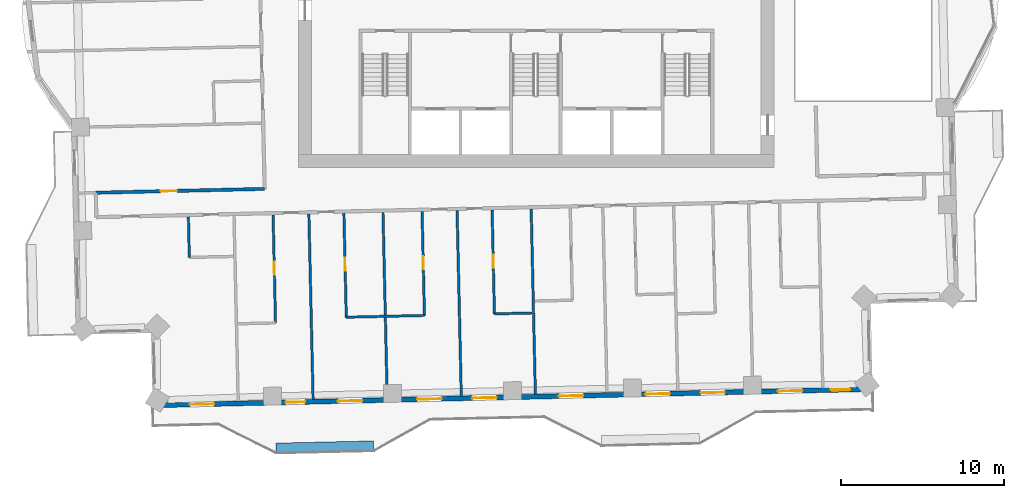
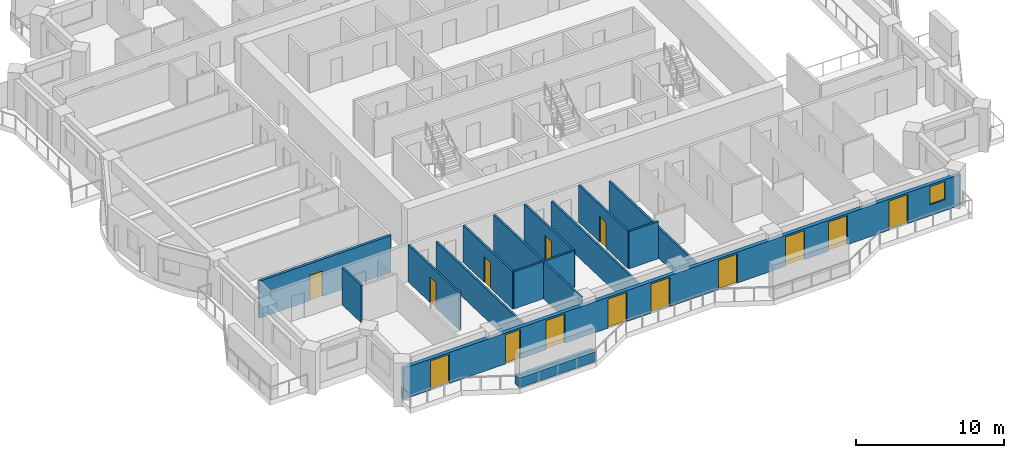
# One storey, part 6 of 16: 14 doors, 14 walls, 1 window, 15 openings.
"""IFC4 building model written with IfcOpenShell, lengths in metres."""

from ifc_helpers import new_model, si_unit, direction, frame, frame_2d, origin, place, context, subcontext, project, spatial, rectangle, extrude, material, layer, layer_set, type_object, element, fill, save


model = new_model("IFC4")

# Units and contexts
model_context = context("Model", 3, precision=1e-05, world=origin(), true_north=direction((0.0, 1.0)))
body_context = subcontext(model_context, "Body", "Model", "MODEL_VIEW")
ifc_project = project(units=[si_unit("LENGTHUNIT", "METRE"), si_unit("AREAUNIT", "SQUARE_METRE"), si_unit("VOLUMEUNIT", "CUBIC_METRE"), si_unit("PLANEANGLEUNIT", "RADIAN"), si_unit("MASSUNIT", "GRAM", prefix="KILO")], contexts=[model_context])

# Site, building, storey
site_placement = place(None, origin())
site = spatial("IfcSite", under=ifc_project, at=site_placement, CompositionType="ELEMENT")
building_placement = place(site_placement, origin())
building = spatial("IfcBuilding", under=site, at=building_placement, Name="Mangrove Gate Tower", CompositionType="ELEMENT")
storey_placement = place(building_placement, frame((0.0, 0.0, 231.10009765625)))
storey = spatial("IfcBuildingStorey", under=building, at=storey_placement, Name="L58", CompositionType="ELEMENT", Elevation=231.10009765625)

# Wall, opening, door
ifc_material_1 = material(Name="Gypsum board on steel stud, EI 60", Category="steel")
ifc_layer_1 = layer(ifc_material_1, 0.199951171875)
ifc_layer_set_1 = layer_set([ifc_layer_1], Name="Corridor wall EI 60")
wall_type_1 = type_object("IfcWallType", Name="Corridor wall EI 60", PredefinedType="PARTITIONING", material=ifc_layer_set_1)
wall_1_placement = place(storey_placement, frame((-27.050048828125, -13.14990234375, 0.0), z_axis=(0.0, 0.0, 1.0), x_axis=(0.999743679035, 0.022640146404, 0.0)))
wall_1 = element("IfcWall", 1, at=wall_1_placement, inside=storey, type_object=wall_type_1, Name="WALL-L58-033", PredefinedType="PARTITIONING", context=body_context, shape_type="SweptSolid", body=[
    extrude(rectangle(XDim=10.373779296875, YDim=0.199951171875, at=frame_2d((5.18701171875, 0.0))), origin(), (0.0, 0.0, 1.0), 3.0498046875),
])
opening_1_placement = place(wall_1_placement, frame((3.987060546875, 0.0, 0.0)))
opening_1 = element("IfcOpeningElement", 2, at=opening_1_placement, cuts=wall_1, Name="Opening AD", PredefinedType="OPENING", context=body_context, shape_type="SweptSolid", body=[
    extrude(rectangle(XDim=1.0, YDim=2.10009765625, at=frame_2d((0.5, 1.050048828125))), frame((0.0, 0.10986328125, 0.0), z_axis=(0.0, -1.0, 0.0), x_axis=(1.0, 0.0, 0.0)), (0.0, 0.0, 1.0), 0.219970703125),
])
ifc_material_2 = material(Name="Timber door leaf", Category="wood")
door_type_1 = type_object("IfcDoorType", Name="Amenity door 1000", OperationType="SINGLE_SWING_LEFT", PredefinedType="DOOR", material=ifc_material_2)
door_1_placement = place(opening_1_placement, origin())
door_1 = element("IfcDoor", 3, at=door_1_placement, inside=storey, type_object=door_type_1, Name="DOOR-L58-GAM-c5b", OperationType="SINGLE_SWING_LEFT", OverallHeight=2.10009765625, OverallWidth=1.0, PredefinedType="DOOR", context=body_context, shape_type="SweptSolid", body=[
    extrude(rectangle(XDim=1.0, YDim=2.10009765625, at=frame_2d((0.5, 1.050048828125))), frame((0.0, 0.02490234375, 0.0), z_axis=(0.0, -1.0, 0.0), x_axis=(1.0, 0.0, 0.0)), (0.0, 0.0, 1.0), 0.050048828125),
])
fill(opening_1, door_1)

# Wall, openings, doors, window
ifc_material_3 = material(Name="Limestone", Category="masonry")
ifc_layer_2 = layer(ifc_material_3, 0.0400390625, Name="Limestone cladding")
ifc_material_4 = material(Name="Ventilated air gap")
ifc_layer_3 = layer(ifc_material_4, 0.0400390625, Name="Ventilated cavity")
ifc_material_5 = material(Name="Mineral wool insulation")
ifc_layer_4 = layer(ifc_material_5, 0.06005859375, Name="Insulation")
ifc_material_6 = material(Name="Breather membrane")
ifc_layer_5 = layer(ifc_material_6, 0.001953125, Name="Breather membrane")
ifc_material_7 = material(Name="Concrete C20/25 blockwork", Category="masonry")
ifc_layer_6 = layer(ifc_material_7, 0.14990234375, Name="Blockwork backing wall")
ifc_material_8 = material(Name="Gypsum plaster")
ifc_layer_7 = layer(ifc_material_8, 0.008056640625, Name="Internal plaster")
ifc_layer_set_2 = layer_set([ifc_layer_2, ifc_layer_3, ifc_layer_4, ifc_layer_5, ifc_layer_6, ifc_layer_7], Name="External wall 300 limestone cladding")
wall_type_2 = type_object("IfcWallType", Name="External wall 300 limestone cladding", PredefinedType="SOLIDWALL", material=ifc_layer_set_2)
wall_2_placement = place(storey_placement, frame((-23.403076171875, -26.200927734375, 0.0), z_axis=(0.0, 0.0, 1.0), x_axis=(0.999742770494, 0.022680230258, 0.0)))
wall_2 = element("IfcWall", 4, at=wall_2_placement, inside=storey, type_object=wall_type_2, Name="WALL-L58-S13", PredefinedType="SOLIDWALL", context=body_context, shape_type="SweptSolid", body=[
    extrude(rectangle(XDim=43.908203125, YDim=0.300048828125, at=frame_2d((21.9541015625, 0.0))), origin(), (0.0, 0.0, 1.0), 2.5498046875),
])
opening_2_placement = place(wall_2_placement, frame((2.1240234375, 0.0, 0.0)))
opening_2 = element("IfcOpeningElement", 5, at=opening_2_placement, cuts=wall_2, Name="Opening BD1", PredefinedType="OPENING", context=body_context, shape_type="SweptSolid", body=[
    extrude(rectangle(XDim=1.5, YDim=2.39990234375, at=frame_2d((0.75, 1.199951171875))), frame((0.0, 0.159912109375, 0.0), z_axis=(0.0, -1.0, 0.0), x_axis=(1.0, 0.0, 0.0)), (0.0, 0.0, 1.0), 0.320068359375),
])
opening_3_placement = place(wall_2_placement, frame((8.009033203125, 0.0, 0.0)))
opening_3 = element("IfcOpeningElement", 6, at=opening_3_placement, cuts=wall_2, Name="Opening BD2", PredefinedType="OPENING", context=body_context, shape_type="SweptSolid", body=[
    extrude(rectangle(XDim=1.199951171875, YDim=2.39990234375, at=frame_2d((0.60009765625, 1.199951171875))), frame((0.0, 0.159912109375, 0.0), z_axis=(0.0, -1.0, 0.0), x_axis=(1.0, 0.0, 0.0)), (0.0, 0.0, 1.0), 0.320068359375),
])
opening_4_placement = place(wall_2_placement, frame((11.22509765625, 0.0, 0.0)))
opening_4 = element("IfcOpeningElement", 7, at=opening_4_placement, cuts=wall_2, Name="Opening BD1", PredefinedType="OPENING", context=body_context, shape_type="SweptSolid", body=[
    extrude(rectangle(XDim=1.5, YDim=2.39990234375, at=frame_2d((0.75, 1.199951171875))), frame((0.0, 0.159912109375, 0.0), z_axis=(0.0, -1.0, 0.0), x_axis=(1.0, 0.0, 0.0)), (0.0, 0.0, 1.0), 0.320068359375),
])
opening_5_placement = place(wall_2_placement, frame((16.093017578125, 0.0, 0.0)))
opening_5 = element("IfcOpeningElement", 8, at=opening_5_placement, cuts=wall_2, Name="Opening BD1", PredefinedType="OPENING", context=body_context, shape_type="SweptSolid", body=[
    extrude(rectangle(XDim=1.5, YDim=2.39990234375, at=frame_2d((0.75, 1.199951171875))), frame((0.0, 0.159912109375, 0.0), z_axis=(0.0, -1.0, 0.0), x_axis=(1.0, 0.0, 0.0)), (0.0, 0.0, 1.0), 0.320068359375),
])
opening_6_placement = place(wall_2_placement, frame((19.47705078125, 0.0, 0.0)))
opening_6 = element("IfcOpeningElement", 9, at=opening_6_placement, cuts=wall_2, Name="Opening BD1", PredefinedType="OPENING", context=body_context, shape_type="SweptSolid", body=[
    extrude(rectangle(XDim=1.5, YDim=2.39990234375, at=frame_2d((0.75, 1.199951171875))), frame((0.0, 0.159912109375, 0.0), z_axis=(0.0, -1.0, 0.0), x_axis=(1.0, 0.0, 0.0)), (0.0, 0.0, 1.0), 0.320068359375),
])
opening_7_placement = place(wall_2_placement, frame((24.800048828125, 0.0, 0.0)))
opening_7 = element("IfcOpeningElement", 10, at=opening_7_placement, cuts=wall_2, Name="Opening BD1", PredefinedType="OPENING", context=body_context, shape_type="SweptSolid", body=[
    extrude(rectangle(XDim=1.5, YDim=2.39990234375, at=frame_2d((0.75, 1.199951171875))), frame((0.0, 0.159912109375, 0.0), z_axis=(0.0, -1.0, 0.0), x_axis=(1.0, 0.0, 0.0)), (0.0, 0.0, 1.0), 0.320068359375),
])
opening_8_placement = place(wall_2_placement, frame((30.111083984375, 0.0, 0.0)))
opening_8 = element("IfcOpeningElement", 11, at=opening_8_placement, cuts=wall_2, Name="Opening BD1", PredefinedType="OPENING", context=body_context, shape_type="SweptSolid", body=[
    extrude(rectangle(XDim=1.5, YDim=2.39990234375, at=frame_2d((0.75, 1.199951171875))), frame((0.0, 0.159912109375, 0.0), z_axis=(0.0, -1.0, 0.0), x_axis=(1.0, 0.0, 0.0)), (0.0, 0.0, 1.0), 0.320068359375),
])
opening_9_placement = place(wall_2_placement, frame((33.4951171875, 0.0, 0.0)))
opening_9 = element("IfcOpeningElement", 12, at=opening_9_placement, cuts=wall_2, Name="Opening BD1", PredefinedType="OPENING", context=body_context, shape_type="SweptSolid", body=[
    extrude(rectangle(XDim=1.5, YDim=2.39990234375, at=frame_2d((0.75, 1.199951171875))), frame((0.0, 0.159912109375, 0.0), z_axis=(0.0, -1.0, 0.0), x_axis=(1.0, 0.0, 0.0)), (0.0, 0.0, 1.0), 0.320068359375),
])
opening_10_placement = place(wall_2_placement, frame((38.2451171875, 0.0, 0.0)))
opening_10 = element("IfcOpeningElement", 13, at=opening_10_placement, cuts=wall_2, Name="Opening BD1", PredefinedType="OPENING", context=body_context, shape_type="SweptSolid", body=[
    extrude(rectangle(XDim=1.5, YDim=2.39990234375, at=frame_2d((0.75, 1.199951171875))), frame((0.0, 0.159912109375, 0.0), z_axis=(0.0, -1.0, 0.0), x_axis=(1.0, 0.0, 0.0)), (0.0, 0.0, 1.0), 0.320068359375),
])
opening_11_placement = place(wall_2_placement, frame((41.48193359375, 0.0, 0.89990234375)))
opening_11 = element("IfcOpeningElement", 14, at=opening_11_placement, cuts=wall_2, Name="Opening W1", PredefinedType="OPENING", context=body_context, shape_type="SweptSolid", body=[
    extrude(rectangle(XDim=1.199951171875, YDim=1.5, at=frame_2d((0.60009765625, 0.75))), frame((0.0, 0.159912109375, 0.0), z_axis=(0.0, -1.0, 0.0), x_axis=(1.0, 0.0, 0.0)), (0.0, 0.0, 1.0), 0.320068359375),
])
ifc_material_9 = material(Name="Aluminium frame with laminated clear glass", Category="aluminium")
door_type_2 = type_object("IfcDoorType", Name="Balcony sliding door 1200x2400", OperationType="SLIDING_TO_LEFT", PredefinedType="DOOR", material=ifc_material_9)
door_2_placement = place(opening_3_placement, origin())
door_2 = element("IfcDoor", 15, at=door_2_placement, inside=storey, type_object=door_type_2, Name="DOOR-L58-S13-2", OperationType="SLIDING_TO_LEFT", OverallHeight=2.39990234375, OverallWidth=1.199951171875, PredefinedType="DOOR", context=body_context, shape_type="SweptSolid", body=[
    extrude(rectangle(XDim=1.199951171875, YDim=2.39990234375, at=frame_2d((0.60009765625, 1.199951171875))), frame((0.0, 0.02490234375, 0.0), z_axis=(0.0, -1.0, 0.0), x_axis=(1.0, 0.0, 0.0)), (0.0, 0.0, 1.0), 0.050048828125),
])
fill(opening_3, door_2)
ifc_material_10 = material(Name="Aluminium frame with laminated clear glass", Category="aluminium")
door_type_3 = type_object("IfcDoorType", Name="Balcony sliding door 1500x2400", OperationType="SLIDING_TO_LEFT", PredefinedType="DOOR", material=ifc_material_10)
door_3_placement = place(opening_2_placement, origin())
door_3 = element("IfcDoor", 16, at=door_3_placement, inside=storey, type_object=door_type_3, Name="DOOR-L58-S13-1", OperationType="SLIDING_TO_LEFT", OverallHeight=2.39990234375, OverallWidth=1.5, PredefinedType="DOOR", context=body_context, shape_type="SweptSolid", body=[
    extrude(rectangle(XDim=1.5, YDim=2.39990234375, at=frame_2d((0.75, 1.199951171875))), frame((0.0, 0.02490234375, 0.0), z_axis=(0.0, -1.0, 0.0), x_axis=(1.0, 0.0, 0.0)), (0.0, 0.0, 1.0), 0.050048828125),
])
fill(opening_2, door_3)
door_4_placement = place(opening_4_placement, origin())
door_4 = element("IfcDoor", 17, at=door_4_placement, inside=storey, type_object=door_type_3, Name="DOOR-L58-S13-3", OperationType="SLIDING_TO_LEFT", OverallHeight=2.39990234375, OverallWidth=1.5, PredefinedType="DOOR", context=body_context, shape_type="SweptSolid", body=[
    extrude(rectangle(XDim=1.5, YDim=2.39990234375, at=frame_2d((0.75, 1.199951171875))), frame((0.0, 0.02490234375, 0.0), z_axis=(0.0, -1.0, 0.0), x_axis=(1.0, 0.0, 0.0)), (0.0, 0.0, 1.0), 0.050048828125),
])
fill(opening_4, door_4)
door_5_placement = place(opening_5_placement, origin())
door_5 = element("IfcDoor", 18, at=door_5_placement, inside=storey, type_object=door_type_3, Name="DOOR-L58-S13-4", OperationType="SLIDING_TO_LEFT", OverallHeight=2.39990234375, OverallWidth=1.5, PredefinedType="DOOR", context=body_context, shape_type="SweptSolid", body=[
    extrude(rectangle(XDim=1.5, YDim=2.39990234375, at=frame_2d((0.75, 1.199951171875))), frame((0.0, 0.02490234375, 0.0), z_axis=(0.0, -1.0, 0.0), x_axis=(1.0, 0.0, 0.0)), (0.0, 0.0, 1.0), 0.050048828125),
])
fill(opening_5, door_5)
door_6_placement = place(opening_6_placement, origin())
door_6 = element("IfcDoor", 19, at=door_6_placement, inside=storey, type_object=door_type_3, Name="DOOR-L58-S13-5", OperationType="SLIDING_TO_LEFT", OverallHeight=2.39990234375, OverallWidth=1.5, PredefinedType="DOOR", context=body_context, shape_type="SweptSolid", body=[
    extrude(rectangle(XDim=1.5, YDim=2.39990234375, at=frame_2d((0.75, 1.199951171875))), frame((0.0, 0.02490234375, 0.0), z_axis=(0.0, -1.0, 0.0), x_axis=(1.0, 0.0, 0.0)), (0.0, 0.0, 1.0), 0.050048828125),
])
fill(opening_6, door_6)
door_7_placement = place(opening_7_placement, origin())
door_7 = element("IfcDoor", 20, at=door_7_placement, inside=storey, type_object=door_type_3, Name="DOOR-L58-S13-6", OperationType="SLIDING_TO_LEFT", OverallHeight=2.39990234375, OverallWidth=1.5, PredefinedType="DOOR", context=body_context, shape_type="SweptSolid", body=[
    extrude(rectangle(XDim=1.5, YDim=2.39990234375, at=frame_2d((0.75, 1.199951171875))), frame((0.0, 0.02490234375, 0.0), z_axis=(0.0, -1.0, 0.0), x_axis=(1.0, 0.0, 0.0)), (0.0, 0.0, 1.0), 0.050048828125),
])
fill(opening_7, door_7)
door_8_placement = place(opening_8_placement, origin())
door_8 = element("IfcDoor", 21, at=door_8_placement, inside=storey, type_object=door_type_3, Name="DOOR-L58-S13-7", OperationType="SLIDING_TO_LEFT", OverallHeight=2.39990234375, OverallWidth=1.5, PredefinedType="DOOR", context=body_context, shape_type="SweptSolid", body=[
    extrude(rectangle(XDim=1.5, YDim=2.39990234375, at=frame_2d((0.75, 1.199951171875))), frame((0.0, 0.02490234375, 0.0), z_axis=(0.0, -1.0, 0.0), x_axis=(1.0, 0.0, 0.0)), (0.0, 0.0, 1.0), 0.050048828125),
])
fill(opening_8, door_8)
door_9_placement = place(opening_9_placement, origin())
door_9 = element("IfcDoor", 22, at=door_9_placement, inside=storey, type_object=door_type_3, Name="DOOR-L58-S13-8", OperationType="SLIDING_TO_LEFT", OverallHeight=2.39990234375, OverallWidth=1.5, PredefinedType="DOOR", context=body_context, shape_type="SweptSolid", body=[
    extrude(rectangle(XDim=1.5, YDim=2.39990234375, at=frame_2d((0.75, 1.199951171875))), frame((0.0, 0.02490234375, 0.0), z_axis=(0.0, -1.0, 0.0), x_axis=(1.0, 0.0, 0.0)), (0.0, 0.0, 1.0), 0.050048828125),
])
fill(opening_9, door_9)
door_10_placement = place(opening_10_placement, origin())
door_10 = element("IfcDoor", 23, at=door_10_placement, inside=storey, type_object=door_type_3, Name="DOOR-L58-S13-9", OperationType="SLIDING_TO_LEFT", OverallHeight=2.39990234375, OverallWidth=1.5, PredefinedType="DOOR", context=body_context, shape_type="SweptSolid", body=[
    extrude(rectangle(XDim=1.5, YDim=2.39990234375, at=frame_2d((0.75, 1.199951171875))), frame((0.0, 0.02490234375, 0.0), z_axis=(0.0, -1.0, 0.0), x_axis=(1.0, 0.0, 0.0)), (0.0, 0.0, 1.0), 0.050048828125),
])
fill(opening_10, door_10)
ifc_material_11 = material(Name="Aluminium frame with double-glazed low-e glass", Category="aluminium")
window_type = type_object("IfcWindowType", Name="Side lite 1200x1500", PartitioningType="SINGLE_PANEL", PredefinedType="WINDOW", material=ifc_material_11)
window_placement = place(opening_11_placement, origin())
window = element("IfcWindow", 24, at=window_placement, inside=storey, type_object=window_type, Name="WIN-L58-S13-10", OverallHeight=1.5, OverallWidth=1.199951171875, PartitioningType="SINGLE_PANEL", PredefinedType="WINDOW", context=body_context, shape_type="SweptSolid", body=[
    extrude(rectangle(XDim=1.199951171875, YDim=1.5, at=frame_2d((0.60009765625, 0.75))), frame((0.0, 0.030029296875, 0.0), z_axis=(0.0, -1.0, 0.0), x_axis=(1.0, 0.0, 0.0)), (0.0, 0.0, 1.0), 0.06005859375),
])
fill(opening_11, window)

# Walls
ifc_material_12 = material(Name="Gypsum board on steel stud, EI 60", Category="steel")
ifc_layer_8 = layer(ifc_material_12, 0.14990234375)
ifc_layer_set_3 = layer_set([ifc_layer_8], Name="Party wall 150 EI 60")
wall_type_3 = type_object("IfcWallType", Name="Party wall 150 EI 60", PredefinedType="PARTITIONING", material=ifc_layer_set_3)
wall_3_placement = place(storey_placement, frame((-13.705078125, -25.8310546875, 0.0), z_axis=(0.0, 0.0, 1.0), x_axis=(-0.022662905301, 0.999743163379, 0.0)))
element("IfcWall", 25, at=wall_3_placement, inside=storey, type_object=wall_type_3, Name="WALL-L58-002", PredefinedType="PARTITIONING", context=body_context, shape_type="SweptSolid", body=[
    extrude(rectangle(XDim=11.3759765625, YDim=0.14990234375, at=frame_2d((5.68798828125, 0.0))), origin(), (0.0, 0.0, 1.0), 2.5),
])
wall_4_placement = place(storey_placement, frame((-9.156005859375, -25.72802734375, 0.0), z_axis=(0.0, 0.0, 1.0), x_axis=(-0.022684355347, 0.999742676904, 0.0)))
element("IfcWall", 26, at=wall_4_placement, inside=storey, type_object=wall_type_3, Name="WALL-L58-003", PredefinedType="PARTITIONING", context=body_context, shape_type="SweptSolid", body=[
    extrude(rectangle(XDim=11.3759765625, YDim=0.14990234375, at=frame_2d((5.68798828125, 0.0))), origin(), (0.0, 0.0, 1.0), 3.0498046875),
])
for number, where, z_axis, x_axis, name in (
    (27, (-4.60693359375, -25.6240234375, 0.0), (0.0, 0.0, 1.0), (-0.022684355347, 0.999742676904, 0.0), "WALL-L58-004"),
    (28, (-0.05810546875, -25.52099609375, 0.0), (0.0, 0.0, 1.0), (-0.022662905301, 0.999743163379, 0.0), "WALL-L58-005"),
):
    element("IfcWall", number, at=place(storey_placement, frame(where, z_axis=z_axis, x_axis=x_axis)), inside=storey, type_object=wall_type_3, Name=name, PredefinedType="PARTITIONING", context=body_context, shape_type="SweptSolid", body=[
        extrude(rectangle(XDim=11.3759765625, YDim=0.14990234375, at=frame_2d((5.68798828125, 0.0))), origin(), (0.0, 0.0, 1.0), 2.5),
    ])

# Wall, opening, door
wall_5_placement = place(storey_placement, frame((-16.010986328125, -21.14599609375, 0.0), z_axis=(0.0, 0.0, 1.0), x_axis=(-0.022760662159, 0.999740942574, 0.0)))
wall_5 = element("IfcWall", 29, at=wall_5_placement, inside=storey, type_object=wall_type_3, Name="WALL-L58-010", PredefinedType="PARTITIONING", context=body_context, shape_type="SweptSolid", body=[
    extrude(rectangle(XDim=6.6396484375, YDim=0.14990234375, at=frame_2d((3.31982421875, 0.0))), origin(), (0.0, 0.0, 1.0), 3.0498046875),
])
opening_12_placement = place(wall_5_placement, frame((2.969970703125, 0.0, 0.0)))
opening_12 = element("IfcOpeningElement", 30, at=opening_12_placement, cuts=wall_5, Name="Opening ED", PredefinedType="OPENING", context=body_context, shape_type="SweptSolid", body=[
    extrude(rectangle(XDim=0.800048828125, YDim=2.10009765625, at=frame_2d((0.39990234375, 1.050048828125))), frame((0.0, 0.0849609375, 0.0), z_axis=(0.0, -1.0, 0.0), x_axis=(1.0, 0.0, 0.0)), (0.0, 0.0, 1.0), 0.169921875),
])
ifc_material_13 = material(Name="Timber door leaf", Category="wood")
door_type_4 = type_object("IfcDoorType", Name="En-suite door 800", OperationType="SINGLE_SWING_LEFT", PredefinedType="DOOR", material=ifc_material_13)
door_11_placement = place(opening_12_placement, origin())
door_11 = element("IfcDoor", 31, at=door_11_placement, inside=storey, type_object=door_type_4, Name="DOOR-L58-ENS-c101", OperationType="SINGLE_SWING_LEFT", OverallHeight=2.10009765625, OverallWidth=0.800048828125, PredefinedType="DOOR", context=body_context, shape_type="SweptSolid", body=[
    extrude(rectangle(XDim=0.800048828125, YDim=2.10009765625, at=frame_2d((0.39990234375, 1.050048828125))), frame((0.0, 0.02490234375, 0.0), z_axis=(0.0, -1.0, 0.0), x_axis=(1.0, 0.0, 0.0)), (0.0, 0.0, 1.0), 0.050048828125),
])
fill(opening_12, door_11)

wall_6_placement = place(storey_placement, frame((-11.66796875, -20.797119140625, 0.0), z_axis=(0.0, 0.0, 1.0), x_axis=(-0.022695368097, 0.999742426962, 0.0)))
wall_6 = element("IfcWall", 32, at=wall_6_placement, inside=storey, type_object=wall_type_3, Name="WALL-L58-014", PredefinedType="PARTITIONING", context=body_context, shape_type="SweptSolid", body=[
    extrude(rectangle(XDim=6.389892578125, YDim=0.14990234375, at=frame_2d((3.19482421875, 0.0))), origin(), (0.0, 0.0, 1.0), 3.0498046875),
])
opening_13_placement = place(wall_6_placement, frame((2.844970703125, 0.0, 0.0)))
opening_13 = element("IfcOpeningElement", 33, at=opening_13_placement, cuts=wall_6, Name="Opening ED", PredefinedType="OPENING", context=body_context, shape_type="SweptSolid", body=[
    extrude(rectangle(XDim=0.800048828125, YDim=2.10009765625, at=frame_2d((0.39990234375, 1.050048828125))), frame((0.0, 0.0849609375, 0.0), z_axis=(0.0, -1.0, 0.0), x_axis=(1.0, 0.0, 0.0)), (0.0, 0.0, 1.0), 0.169921875),
])
door_12_placement = place(opening_13_placement, origin())
door_12 = element("IfcDoor", 34, at=door_12_placement, inside=storey, type_object=door_type_4, Name="DOOR-L58-ENS-c102", OperationType="SINGLE_SWING_RIGHT", OverallHeight=2.10009765625, OverallWidth=0.800048828125, PredefinedType="DOOR", context=body_context, shape_type="SweptSolid", body=[
    extrude(rectangle(XDim=0.800048828125, YDim=2.10009765625, at=frame_2d((0.39990234375, 1.050048828125))), frame((0.0, 0.02490234375, 0.0), z_axis=(0.0, -1.0, 0.0), x_axis=(1.0, 0.0, 0.0)), (0.0, 0.0, 1.0), 0.050048828125),
])
fill(opening_13, door_12)

wall_7_placement = place(storey_placement, frame((-6.868896484375, -20.68798828125, 0.0), z_axis=(0.0, 0.0, 1.0), x_axis=(-0.022696235044, 0.99974240728, 0.0)))
wall_7 = element("IfcWall", 35, at=wall_7_placement, inside=storey, type_object=wall_type_3, Name="WALL-L58-015", PredefinedType="PARTITIONING", context=body_context, shape_type="SweptSolid", body=[
    extrude(rectangle(XDim=6.3896484375, YDim=0.14990234375, at=frame_2d((3.19482421875, 0.0))), origin(), (0.0, 0.0, 1.0), 3.0498046875),
])
opening_14_placement = place(wall_7_placement, frame((2.844970703125, 0.0, 0.0)))
opening_14 = element("IfcOpeningElement", 36, at=opening_14_placement, cuts=wall_7, Name="Opening ED", PredefinedType="OPENING", context=body_context, shape_type="SweptSolid", body=[
    extrude(rectangle(XDim=0.800048828125, YDim=2.10009765625, at=frame_2d((0.39990234375, 1.050048828125))), frame((0.0, 0.0849609375, 0.0), z_axis=(0.0, -1.0, 0.0), x_axis=(1.0, 0.0, 0.0)), (0.0, 0.0, 1.0), 0.169921875),
])
door_13_placement = place(opening_14_placement, origin())
door_13 = element("IfcDoor", 37, at=door_13_placement, inside=storey, type_object=door_type_4, Name="DOOR-L58-ENS-c103", OperationType="SINGLE_SWING_LEFT", OverallHeight=2.10009765625, OverallWidth=0.800048828125, PredefinedType="DOOR", context=body_context, shape_type="SweptSolid", body=[
    extrude(rectangle(XDim=0.800048828125, YDim=2.10009765625, at=frame_2d((0.39990234375, 1.050048828125))), frame((0.0, 0.02490234375, 0.0), z_axis=(0.0, -1.0, 0.0), x_axis=(1.0, 0.0, 0.0)), (0.0, 0.0, 1.0), 0.050048828125),
])
fill(opening_14, door_13)

wall_8_placement = place(storey_placement, frame((-2.571044921875, -20.591064453125, 0.0), z_axis=(0.0, 0.0, 1.0), x_axis=(-0.022695368097, 0.999742426962, 0.0)))
wall_8 = element("IfcWall", 38, at=wall_8_placement, inside=storey, type_object=wall_type_3, Name="WALL-L58-016", PredefinedType="PARTITIONING", context=body_context, shape_type="SweptSolid", body=[
    extrude(rectangle(XDim=6.389892578125, YDim=0.14990234375, at=frame_2d((3.19482421875, 0.0))), origin(), (0.0, 0.0, 1.0), 3.0498046875),
])
opening_15_placement = place(wall_8_placement, frame((2.844970703125, 0.0, 0.0)))
opening_15 = element("IfcOpeningElement", 39, at=opening_15_placement, cuts=wall_8, Name="Opening ED", PredefinedType="OPENING", context=body_context, shape_type="SweptSolid", body=[
    extrude(rectangle(XDim=0.800048828125, YDim=2.10009765625, at=frame_2d((0.39990234375, 1.050048828125))), frame((0.0, 0.0849609375, 0.0), z_axis=(0.0, -1.0, 0.0), x_axis=(1.0, 0.0, 0.0)), (0.0, 0.0, 1.0), 0.169921875),
])
door_14_placement = place(opening_15_placement, origin())
door_14 = element("IfcDoor", 40, at=door_14_placement, inside=storey, type_object=door_type_4, Name="DOOR-L58-ENS-c104", OperationType="SINGLE_SWING_RIGHT", OverallHeight=2.10009765625, OverallWidth=0.800048828125, PredefinedType="DOOR", context=body_context, shape_type="SweptSolid", body=[
    extrude(rectangle(XDim=0.800048828125, YDim=2.10009765625, at=frame_2d((0.39990234375, 1.050048828125))), frame((0.0, 0.02490234375, 0.0), z_axis=(0.0, -1.0, 0.0), x_axis=(1.0, 0.0, 0.0)), (0.0, 0.0, 1.0), 0.050048828125),
])
fill(opening_15, door_14)

# Walls
wall_9_placement = place(storey_placement, frame((-11.672119140625, -20.79296875, 0.0), z_axis=(0.0, 0.0, 1.0), x_axis=(0.999747191239, 0.022484519337, 0.0)))
element("IfcWall", 41, at=wall_9_placement, inside=storey, type_object=wall_type_3, Name="WALL-L58-017", PredefinedType="PARTITIONING", context=body_context, shape_type="SweptSolid", body=[
    extrude(rectangle(XDim=4.79931640625, YDim=0.14990234375, at=frame_2d((2.399658203125, 0.0))), origin(), (0.0, 0.0, 1.0), 3.0498046875),
])
wall_10_placement = place(storey_placement, frame((-2.574951171875, -20.5869140625, 0.0), z_axis=(0.0, 0.0, 1.0), x_axis=(0.999740478815, 0.022781023197, 0.0)))
element("IfcWall", 42, at=wall_10_placement, inside=storey, type_object=wall_type_3, Name="WALL-L58-018", PredefinedType="PARTITIONING", context=body_context, shape_type="SweptSolid", body=[
    extrude(rectangle(XDim=2.325439453125, YDim=0.14990234375, at=frame_2d((1.16259765625, 0.0))), origin(), (0.0, 0.0, 1.0), 3.0498046875),
])
wall_11_placement = place(storey_placement, frame((-21.303955078125, -17.125, 0.0), z_axis=(0.0, 0.0, 1.0), x_axis=(-0.022854521249, 0.999738801317, 0.0)))
element("IfcWall", 43, at=wall_11_placement, inside=storey, type_object=wall_type_3, Name="WALL-L58-025", PredefinedType="PARTITIONING", context=body_context, shape_type="SweptSolid", body=[
    extrude(rectangle(XDim=2.499755859375, YDim=0.14990234375, at=frame_2d((1.25, 0.0))), origin(), (0.0, 0.0, 1.0), 3.0498046875),
])
ifc_material_14 = material(Name="Concrete C32/40", Category="concrete")
ifc_layer_9 = layer(ifc_material_14, 0.199951171875, Name="Planter trough wall")
ifc_material_15 = material(Name="Bituminous waterproofing membrane")
ifc_layer_10 = layer(ifc_material_15, 0.0048828125, Name="Waterproofing")
ifc_material_16 = material(Name="Drainage board and gravel")
ifc_layer_11 = layer(ifc_material_16, 0.044921875, Name="Drainage layer")
ifc_material_17 = material(Name="Planting soil")
ifc_layer_12 = layer(ifc_material_17, 0.300048828125, Name="Growing medium")
ifc_layer_set_4 = layer_set([ifc_layer_9, ifc_layer_10, ifc_layer_11, ifc_layer_12], Name="Planter wall 550 C32/40")
wall_type_4 = type_object("IfcWallType", Name="Planter wall 550 C32/40", PredefinedType="USERDEFINED", material=ifc_layer_set_4)
wall_12_placement = place(storey_placement, frame((-15.988037109375, -28.798095703125, 0.0), z_axis=(0.0, 0.0, 1.0), x_axis=(0.999743178102, 0.022662255828, 0.0)))
element("IfcWall", 44, at=wall_12_placement, inside=storey, type_object=wall_type_4, Name="PLANTER L58 S0.1", ObjectType="PLANTER", PredefinedType="USERDEFINED", context=body_context, shape_type="SweptSolid", body=[
    extrude(rectangle(XDim=6.00048828125, YDim=0.550048828125, at=frame_2d((3.000244140625, 0.0))), origin(), (0.0, 0.0, 1.0), 0.7998046875),
])

save(model, "model.ifc")
